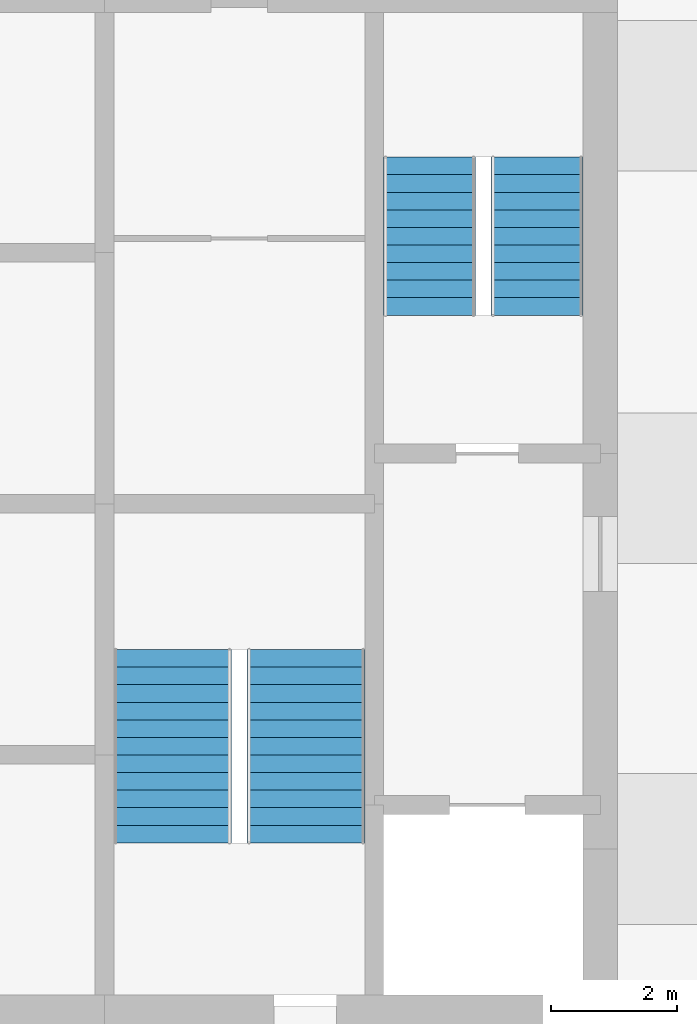
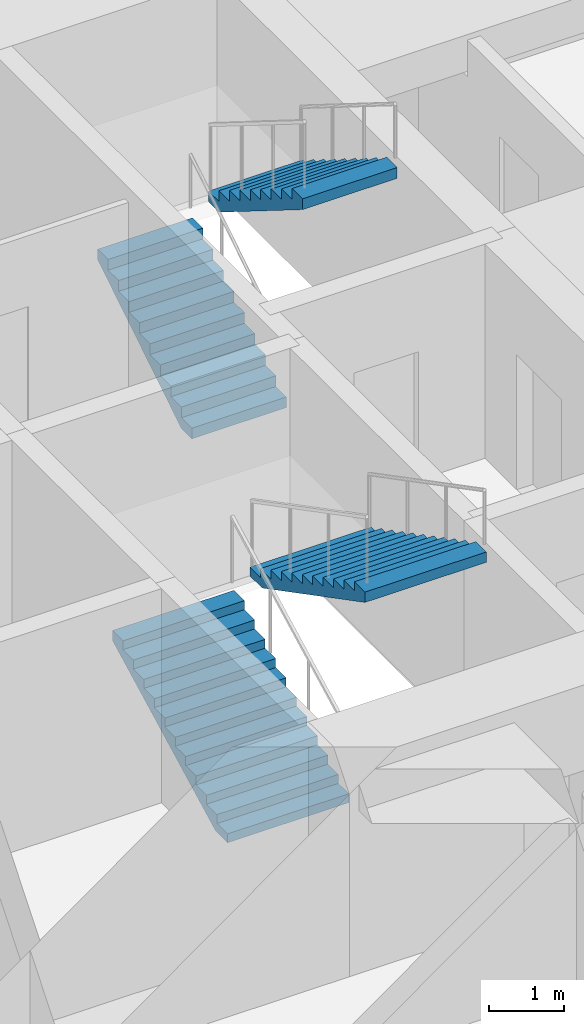
# One storey, part 17 of 18: 4 stair flights, 2 elements without a shape of their own.
"""IFC4 building model written with IfcOpenShell, lengths in metres."""

from ifc_helpers import new_model, si_unit, direction, frame, origin, place, context, subcontext, project, spatial, polyline, outline, extrude, material, type_object, element, aggregate, save


model = new_model("IFC4")

# Units and contexts
model_context = context("Model", 3, precision=1e-05, world=origin(), true_north=direction((0.0, 1.0)))
body_context = subcontext(model_context, "Body", "Model", "MODEL_VIEW")
ifc_project = project(units=[si_unit("LENGTHUNIT", "METRE"), si_unit("AREAUNIT", "SQUARE_METRE"), si_unit("VOLUMEUNIT", "CUBIC_METRE"), si_unit("PLANEANGLEUNIT", "RADIAN"), si_unit("MASSUNIT", "GRAM", prefix="KILO")], contexts=[model_context])

# Site, building, storey
site_placement = place(None, origin())
site = spatial("IfcSite", under=ifc_project, at=site_placement, CompositionType="ELEMENT")
building_placement = place(site_placement, origin())
building = spatial("IfcBuilding", under=site, at=building_placement, Name="Jalousie Tower", CompositionType="ELEMENT")
storey_placement = place(building_placement, frame((0.0, 0.0, 231.949951171875)))
storey = spatial("IfcBuildingStorey", under=building, at=storey_placement, Name="L63", CompositionType="ELEMENT", Elevation=231.949951171875)

# Stair, stair flights
ifc_material_1 = material(Name="Concrete f'c 40 MPa", Category="concrete")
stair_type = type_object("IfcStairType", Name="EXIT STAIR", PredefinedType="HALF_TURN_STAIR", material=ifc_material_1)
stair_1_placement = place(storey_placement, origin())
stair_1 = element("IfcStair", 1, at=stair_1_placement, inside=storey, type_object=stair_type, Name="Exit stair B L63", PredefinedType="HALF_TURN_STAIR")
ifc_material_2 = material(Name="Concrete f'c 40 MPa", Category="concrete")
stair_flight_type = type_object("IfcStairFlightType", Name="STAIR FLIGHT", PredefinedType="STRAIGHT", material=ifc_material_2)
stair_flight_1_placement = place(storey_placement, frame((41.081298828125, 21.50244140625, 0.0), z_axis=(0.0, 0.0, 1.0), x_axis=(0.0, 1.0, 0.0)))
stair_flight_1 = element("IfcStairFlight", 2, at=stair_flight_1_placement, type_object=stair_flight_type, Name="ST-B flight 1", NumberOfRisers=10, NumberOfTreads=9, PredefinedType="STRAIGHT", RiserHeight=0.175, TreadLength=0.28, context=body_context, shape_type="SweptSolid", body=[
    extrude(outline(polyline([(0.0, 0.0), (0.0, 0.175048828125), (0.280029296875, 0.175048828125), (0.280029296875, 0.35009765625), (0.56005859375, 0.35009765625), (0.56005859375, 0.52490234375), (0.840087890625, 0.52490234375), (0.840087890625, 0.699951171875), (1.1201171875, 0.699951171875), (1.1201171875, 0.875), (1.39990234375, 0.875), (1.39990234375, 1.050048828125), (1.679931640625, 1.050048828125), (1.679931640625, 1.22509765625), (1.9599609375, 1.22509765625), (1.9599609375, 1.39990234375), (2.239990234375, 1.39990234375), (2.239990234375, 1.574951171875), (2.52001953125, 1.574951171875), (2.52001953125, 1.75), (2.52001953125, 1.398193359375), (0.28271484375, 0.0), (0.0, 0.0)])), frame((0.0, 0.731201171875, 0.0), z_axis=(0.0, -1.0, 0.0), x_axis=(1.0, 0.0, 0.0)), (0.0, 0.0, 1.0), 1.46240234375),
])
stair_flight_2_placement = place(storey_placement, frame((42.793701171875, 24.0224609375, 1.75), z_axis=(0.0, 0.0, 1.0), x_axis=(0.0, -1.0, 0.0)))
stair_flight_2 = element("IfcStairFlight", 3, at=stair_flight_2_placement, type_object=stair_flight_type, Name="ST-B flight 2", NumberOfRisers=10, NumberOfTreads=9, PredefinedType="STRAIGHT", RiserHeight=0.175, TreadLength=0.28, context=body_context, shape_type="SweptSolid", body=[
    extrude(outline(polyline([(0.0, 0.0), (0.0, 0.175048828125), (0.280029296875, 0.175048828125), (0.280029296875, 0.35009765625), (0.56005859375, 0.35009765625), (0.56005859375, 0.52490234375), (0.840087890625, 0.52490234375), (0.840087890625, 0.699951171875), (1.1201171875, 0.699951171875), (1.1201171875, 0.875), (1.39990234375, 0.875), (1.39990234375, 1.050048828125), (1.679931640625, 1.050048828125), (1.679931640625, 1.22509765625), (1.9599609375, 1.22509765625), (1.9599609375, 1.39990234375), (2.239990234375, 1.39990234375), (2.239990234375, 1.574951171875), (2.52001953125, 1.574951171875), (2.52001953125, 1.75), (2.52001953125, 1.398193359375), (0.28271484375, 0.0), (0.0, 0.0)])), frame((0.0, 0.731201171875, 0.0), z_axis=(0.0, -1.0, 0.0), x_axis=(1.0, 0.0, 0.0)), (0.0, 0.0, 1.0), 1.46240234375),
])
aggregate(stair_1, [stair_flight_1, stair_flight_2])

stair_2_placement = place(storey_placement, origin())
stair_2 = element("IfcStair", 4, at=stair_2_placement, inside=storey, type_object=stair_type, Name="Exit stair C L63", PredefinedType="HALF_TURN_STAIR")
stair_flight_3_placement = place(storey_placement, frame((36.987548828125, 13.097412109375, 0.0), z_axis=(0.0, 0.0, 1.0), x_axis=(0.0, 1.0, 0.0)))
stair_flight_3 = element("IfcStairFlight", 5, at=stair_flight_3_placement, type_object=stair_flight_type, Name="ST-C flight 1", NumberOfRisers=12, NumberOfTreads=11, PredefinedType="STRAIGHT", RiserHeight=0.145833333, TreadLength=0.28, context=body_context, shape_type="SweptSolid", body=[
    extrude(outline(polyline([(0.0, 0.0), (0.0, 0.145751953125), (0.280029296875, 0.145751953125), (0.280029296875, 0.291748046875), (0.56005859375, 0.291748046875), (0.56005859375, 0.4375), (0.840087890625, 0.4375), (0.840087890625, 0.583251953125), (1.1201171875, 0.583251953125), (1.1201171875, 0.729248046875), (1.39990234375, 0.729248046875), (1.39990234375, 0.875), (1.679931640625, 0.875), (1.679931640625, 1.020751953125), (1.9599609375, 1.020751953125), (1.9599609375, 1.166748046875), (2.239990234375, 1.166748046875), (2.239990234375, 1.3125), (2.52001953125, 1.3125), (2.52001953125, 1.458251953125), (2.800048828125, 1.458251953125), (2.800048828125, 1.604248046875), (3.080078125, 1.604248046875), (3.080078125, 1.75), (3.080078125, 1.43505859375), (0.324462890625, 0.0), (0.0, 0.0)])), frame((0.0, 0.9375, 0.0), z_axis=(0.0, -1.0, 0.0), x_axis=(1.0, 0.0, 0.0)), (0.0, 0.0, 1.0), 1.875),
])
stair_flight_4_placement = place(storey_placement, frame((39.112548828125, 16.177490234375, 1.75), z_axis=(0.0, 0.0, 1.0), x_axis=(0.0, -1.0, 0.0)))
stair_flight_4 = element("IfcStairFlight", 6, at=stair_flight_4_placement, type_object=stair_flight_type, Name="ST-C flight 2", NumberOfRisers=12, NumberOfTreads=11, PredefinedType="STRAIGHT", RiserHeight=0.145833333, TreadLength=0.28, context=body_context, shape_type="SweptSolid", body=[
    extrude(outline(polyline([(0.0, 0.0), (0.0, 0.145751953125), (0.280029296875, 0.145751953125), (0.280029296875, 0.291748046875), (0.56005859375, 0.291748046875), (0.56005859375, 0.4375), (0.840087890625, 0.4375), (0.840087890625, 0.583251953125), (1.1201171875, 0.583251953125), (1.1201171875, 0.729248046875), (1.39990234375, 0.729248046875), (1.39990234375, 0.875), (1.679931640625, 0.875), (1.679931640625, 1.020751953125), (1.9599609375, 1.020751953125), (1.9599609375, 1.166748046875), (2.239990234375, 1.166748046875), (2.239990234375, 1.3125), (2.52001953125, 1.3125), (2.52001953125, 1.458251953125), (2.800048828125, 1.458251953125), (2.800048828125, 1.604248046875), (3.080078125, 1.604248046875), (3.080078125, 1.75), (3.080078125, 1.43505859375), (0.324462890625, 0.0), (0.0, 0.0)])), frame((0.0, 0.9375, 0.0), z_axis=(0.0, -1.0, 0.0), x_axis=(1.0, 0.0, 0.0)), (0.0, 0.0, 1.0), 1.875),
])
aggregate(stair_2, [stair_flight_3, stair_flight_4])

save(model, "model.ifc")
